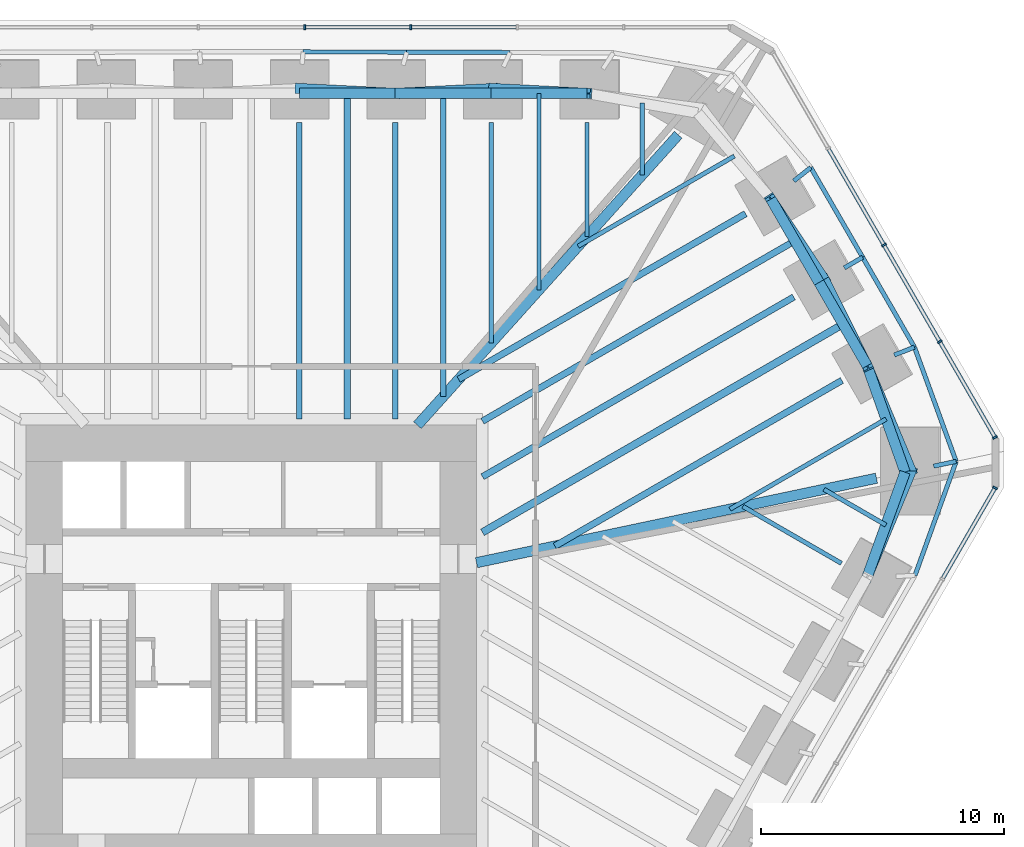
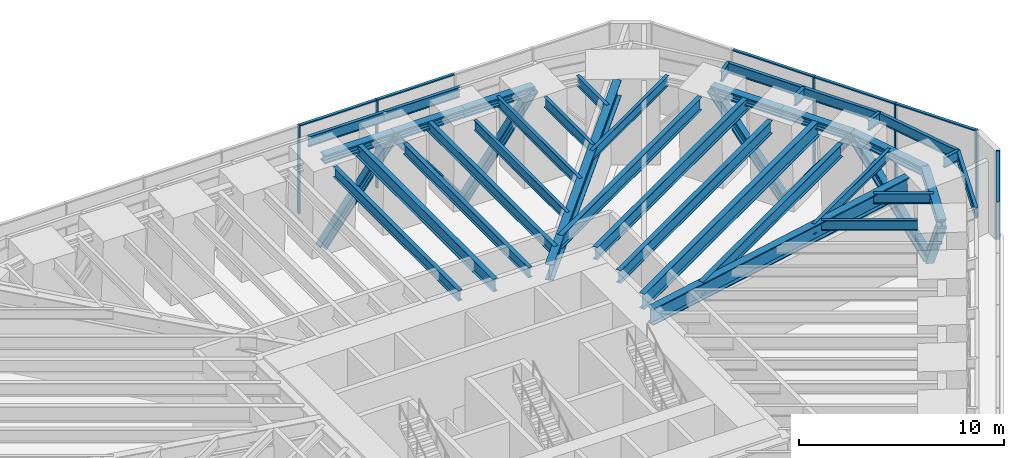
# One storey, part 8 of 13: 36 beams, 19 members, 3 elements without a shape of their own.
"""IFC4 building model written with IfcOpenShell, lengths in metres."""

from ifc_helpers import new_model, si_unit, direction, frame, origin, origin_2d, place, context, subcontext, project, spatial, rectangle, i_section, extrude, material, material_profile, profile_set, type_object, element, aggregate, save


model = new_model("IFC4")

# Units and contexts
model_context = context("Model", 3, precision=1e-05, world=origin(), true_north=direction((0.0, 1.0)))
body_context = subcontext(model_context, "Body", "Model", "MODEL_VIEW")
ifc_project = project(units=[si_unit("LENGTHUNIT", "METRE"), si_unit("AREAUNIT", "SQUARE_METRE"), si_unit("VOLUMEUNIT", "CUBIC_METRE"), si_unit("PLANEANGLEUNIT", "RADIAN"), si_unit("MASSUNIT", "GRAM", prefix="KILO")], contexts=[model_context])

# Site, building, storey
site_placement = place(None, origin())
site = spatial("IfcSite", under=ifc_project, at=site_placement, CompositionType="ELEMENT")
building_placement = place(site_placement, origin())
building = spatial("IfcBuilding", under=site, at=building_placement, Name="Sandreach Pilgrim Tower", CompositionType="ELEMENT")
storey_placement = place(building_placement, frame((0.0, 0.0, 91.39990234375)))
storey = spatial("IfcBuildingStorey", under=building, at=storey_placement, Name="L22", CompositionType="ELEMENT", Elevation=91.39990234375)

# Beams
ifc_material_1 = material(Name="Steel ASTM A913 Grade 65", Category="steel")
ifc_material_profile_1 = material_profile(ifc_material_1, i_section(OverallWidth=0.431884765625, OverallDepth=0.497802734375, WebThickness=0.0556640625, FlangeThickness=0.0888671875, at=origin_2d()), Name="W14X500")
ifc_profile_set_1 = profile_set([ifc_material_profile_1], Name="Steel ASTM A913 Grade 65")
beam_type_1 = type_object("IfcBeamType", Name="Belt truss chord W14X500", PredefinedType="BEAM", material=ifc_profile_set_1)
for number, where, z_axis, x_axis, name in (
    (1, (1.969970703125, 21.23388671875, 4.9912109375), (1.0, 0.0, 0.0), (0.0, 1.0, 0.0), "BM L22 BTT05"),
    (2, (5.909912109375, 21.23388671875, 4.9912109375), (1.0, 0.0, 0.0), (0.0, 1.0, 0.0), "BM L22 BTT06"),
    (3, (9.849853515625, 21.23388671875, 4.9912109375), (1.0, 0.0, 0.0), (0.0, 1.0, 0.0), "BM L22 BTT07"),
):
    element("IfcBeam", number, at=place(storey_placement, frame(where, z_axis=z_axis, x_axis=x_axis)), inside=storey, type_object=beam_type_1, Name=name, PredefinedType="BEAM", context=body_context, shape_type="SweptSolid", body=[
        extrude(i_section(OverallWidth=0.431884765625, OverallDepth=0.497802734375, WebThickness=0.0556640625, FlangeThickness=0.0888671875, at=origin_2d()), origin(), (0.0, 0.0, 1.0), 3.93994140625),
    ])
for number, where, z_axis, x_axis, name in (
    (4, (21.346435546875, 16.891357421875, 4.9912109375), (0.499989616998, -0.866031398331, 0.0), (0.866031398331, 0.499989616998, 0.0), "BM L22 BTT10"),
    (5, (23.323974609375, 13.466064453125, 4.9912109375), (0.499989616998, -0.866031398331, 0.0), (0.866031398331, 0.499989616998, 0.0), "BM L22 BTT11"),
):
    element("IfcBeam", number, at=place(storey_placement, frame(where, z_axis=z_axis, x_axis=x_axis)), inside=storey, type_object=beam_type_1, Name=name, PredefinedType="BEAM", context=body_context, shape_type="SweptSolid", body=[
        extrude(i_section(OverallWidth=0.431884765625, OverallDepth=0.497802734375, WebThickness=0.0556640625, FlangeThickness=0.0888671875, at=origin_2d()), origin(), (0.0, 0.0, 1.0), 3.955078125),
    ])
beam_1_placement = place(storey_placement, frame((25.301513671875, 10.040771484375, 4.9912109375), z_axis=(0.335346041399, -0.942095023083, 0.0), x_axis=(0.942095023083, 0.335346041399, 0.0)))
element("IfcBeam", 6, at=beam_1_placement, inside=storey, type_object=beam_type_1, Name="BM L22 BTT12", PredefinedType="BEAM", context=body_context, shape_type="SweptSolid", body=[
    extrude(i_section(OverallWidth=0.431884765625, OverallDepth=0.497802734375, WebThickness=0.0556640625, FlangeThickness=0.0888671875, at=origin_2d()), origin(), (0.0, 0.0, 1.0), 4.638916015625),
])
beam_2_placement = place(storey_placement, frame((26.857177734375, 5.67041015625, 4.9912109375), z_axis=(-0.340453163563, -0.940261476091, 0.0), x_axis=(0.940261476091, -0.340453163563, 0.0)))
element("IfcBeam", 7, at=beam_2_placement, inside=storey, type_object=beam_type_1, Name="BM L22 BTT13", PredefinedType="BEAM", context=body_context, shape_type="SweptSolid", body=[
    extrude(i_section(OverallWidth=0.431884765625, OverallDepth=0.497802734375, WebThickness=0.0556640625, FlangeThickness=0.0888671875, at=origin_2d()), origin(), (0.0, 0.0, 1.0), 4.62109375),
])

# Members
ifc_material_2 = material(Name="Steel ASTM A913 Grade 65", Category="steel")
ifc_material_profile_2 = material_profile(ifc_material_2, i_section(OverallWidth=0.424072265625, OverallDepth=0.47509765625, WebThickness=0.0478515625, FlangeThickness=0.0771484375, at=origin_2d()), Name="W14X426")
ifc_profile_set_2 = profile_set([ifc_material_profile_2], Name="Steel ASTM A913 Grade 65")
member_type_1 = type_object("IfcMemberType", Name="Belt truss diagonal W14X426", PredefinedType="BRACE", material=ifc_profile_set_2)
member_1_placement = place(storey_placement, frame((1.98828125, 21.43212890625, -0.408935546875), z_axis=(0.587349137519, -0.02969106018, 0.808788867135), x_axis=(0.050486490204, 0.998724744015, 0.0)))
element("IfcMember", 8, at=member_1_placement, inside=storey, type_object=member_type_1, Name="Belt truss diagonal L22 bay 05", PredefinedType="BRACE", context=body_context, shape_type="SweptSolid", body=[
    extrude(i_section(OverallWidth=0.424072265625, OverallDepth=0.47509765625, WebThickness=0.0478515625, FlangeThickness=0.0771484375, at=origin_2d()), origin(), (0.0, 0.0, 1.0), 6.6767578125),
])
member_2_placement = place(storey_placement, frame((5.909912109375, 21.23388671875, 4.9912109375), z_axis=(0.598018465109, 0.029403027167, -0.800942805313), x_axis=(-0.04910810155, 0.998793469323, 0.0)))
element("IfcMember", 9, at=member_2_placement, inside=storey, type_object=member_type_1, Name="Belt truss diagonal L22 bay 06", PredefinedType="BRACE", context=body_context, shape_type="SweptSolid", body=[
    extrude(i_section(OverallWidth=0.424072265625, OverallDepth=0.47509765625, WebThickness=0.0478515625, FlangeThickness=0.0771484375, at=origin_2d()), origin(), (0.0, 0.0, 1.0), 6.7421875),
])
member_3_placement = place(storey_placement, frame((9.94189453125, 21.43212890625, -0.408935546875), z_axis=(0.580045225899, -0.029883682725, 0.814035933739), x_axis=(0.051451336103, 0.99867550286, 0.0)))
element("IfcMember", 10, at=member_3_placement, inside=storey, type_object=member_type_1, Name="Belt truss diagonal L22 bay 07", PredefinedType="BRACE", context=body_context, shape_type="SweptSolid", body=[
    extrude(i_section(OverallWidth=0.424072265625, OverallDepth=0.47509765625, WebThickness=0.0478515625, FlangeThickness=0.0771484375, at=origin_2d()), origin(), (0.0, 0.0, 1.0), 6.6337890625),
])
for number, where, z_axis, x_axis, name in (
    (11, (21.346435546875, 16.891357421875, 4.9912109375), (0.327306981313, -0.492855790792, -0.806203020006), (0.833034674703, 0.553220779384, 0.0), "Belt truss diagonal L22 bay 10"),
    (12, (23.538818359375, 13.590087890625, -0.408935546875), (0.263158260247, -0.529888474719, 0.806204647979), (0.895631412941, 0.444797001062, 0.0), "Belt truss diagonal L22 bay 11"),
):
    element("IfcMember", number, at=place(storey_placement, frame(where, z_axis=z_axis, x_axis=x_axis)), inside=storey, type_object=member_type_1, Name=name, PredefinedType="BRACE", context=body_context, shape_type="SweptSolid", body=[
        extrude(i_section(OverallWidth=0.424072265625, OverallDepth=0.47509765625, WebThickness=0.0478515625, FlangeThickness=0.0771484375, at=origin_2d()), origin(), (0.0, 0.0, 1.0), 6.6982421875),
    ])
member_4_placement = place(storey_placement, frame((25.301513671875, 10.040771484375, 4.9912109375), z_axis=(0.253116662949, -0.604077316004, -0.755660341177), x_axis=(0.92230655788, 0.386459070656, 0.0)))
element("IfcMember", 13, at=member_4_placement, inside=storey, type_object=member_type_1, Name="Belt truss diagonal L22 bay 12", PredefinedType="BRACE", context=body_context, shape_type="SweptSolid", body=[
    extrude(i_section(OverallWidth=0.424072265625, OverallDepth=0.47509765625, WebThickness=0.0478515625, FlangeThickness=0.0771484375, at=origin_2d()), origin(), (0.0, 0.0, 1.0), 7.146240234375),
])
member_5_placement = place(storey_placement, frame((27.1103515625, 5.723876953125, -0.408935546875), z_axis=(-0.253660010285, -0.610872710239, 0.749994087355), x_axis=(0.923543367088, -0.383494001398, 0.0)))
element("IfcMember", 14, at=member_5_placement, inside=storey, type_object=member_type_1, Name="Belt truss diagonal L22 bay 13", PredefinedType="BRACE", context=body_context, shape_type="SweptSolid", body=[
    extrude(i_section(OverallWidth=0.424072265625, OverallDepth=0.47509765625, WebThickness=0.0478515625, FlangeThickness=0.0771484375, at=origin_2d()), origin(), (0.0, 0.0, 1.0), 7.2001953125),
])

# Curtain wall, members
ifc_material_3 = material(Name="Aluminium framed curtain wall", Category="aluminium")
curtain_wall_type = type_object("IfcCurtainWallType", Name="Plant storey louvred curtain wall", PredefinedType="NOTDEFINED", material=ifc_material_3)
curtain_wall_1_placement = place(storey_placement, origin())
curtain_wall_1 = element("IfcCurtainWall", 15, at=curtain_wall_1_placement, inside=storey, type_object=curtain_wall_type, Name="CW-L L22 N", PredefinedType="NOTDEFINED")
ifc_material_4 = material(Name="Aluminium extrusion", Category="aluminium")
ifc_material_profile_3 = material_profile(ifc_material_4, rectangle(XDim=0.080078125, YDim=0.199951171875, at=origin_2d()), Name="CW-LM 80X200")
ifc_profile_set_3 = profile_set([ifc_material_profile_3], Name="Aluminium extrusion")
member_type_2 = type_object("IfcMemberType", Name="CW-L mullion", PredefinedType="MULLION", material=ifc_profile_set_3)
member_6_placement = place(storey_placement, frame((2.185791015625, 23.94873046875, 0.0), z_axis=(0.0, 0.0, 1.0), x_axis=(1.0, 0.0, 0.0)))
member_6 = element("IfcMember", 16, at=member_6_placement, type_object=member_type_2, Name="CW-L mullion 6", PredefinedType="MULLION", context=body_context, shape_type="SweptSolid", body=[
    extrude(rectangle(XDim=0.080078125, YDim=0.199951171875, at=origin_2d()), origin(), (0.0, 0.0, 1.0), 5.239990234375),
])
member_7_placement = place(storey_placement, frame((6.557373046875, 23.94873046875, 0.0), z_axis=(0.0, 0.0, 1.0), x_axis=(1.0, 0.0, 0.0)))
member_7 = element("IfcMember", 17, at=member_7_placement, type_object=member_type_2, Name="CW-L mullion 7", PredefinedType="MULLION", context=body_context, shape_type="SweptSolid", body=[
    extrude(rectangle(XDim=0.080078125, YDim=0.199951171875, at=origin_2d()), origin(), (0.0, 0.0, 1.0), 5.239990234375),
])

curtain_wall_2_placement = place(storey_placement, origin())
curtain_wall_2 = element("IfcCurtainWall", 18, at=curtain_wall_2_placement, inside=storey, type_object=curtain_wall_type, Name="CW-L L22 NE", PredefinedType="NOTDEFINED")
member_8_placement = place(storey_placement, frame((25.990234375, 15.00537109375, 0.0), z_axis=(0.0, 0.0, 1.0), x_axis=(0.5, -0.866025403784, 0.0)))
member_8 = element("IfcMember", 19, at=member_8_placement, type_object=member_type_2, Name="CW-L mullion 3", PredefinedType="MULLION", context=body_context, shape_type="SweptSolid", body=[
    extrude(rectangle(XDim=0.080078125, YDim=0.199951171875, at=origin_2d()), origin(), (0.0, 0.0, 1.0), 5.239990234375),
])
member_9_placement = place(storey_placement, frame((28.283203125, 11.03369140625, 0.0), z_axis=(0.0, 0.0, 1.0), x_axis=(0.5, -0.866025403784, 0.0)))
member_9 = element("IfcMember", 20, at=member_9_placement, type_object=member_type_2, Name="CW-L mullion 4", PredefinedType="MULLION", context=body_context, shape_type="SweptSolid", body=[
    extrude(rectangle(XDim=0.080078125, YDim=0.199951171875, at=origin_2d()), origin(), (0.0, 0.0, 1.0), 5.239990234375),
])
member_10_placement = place(storey_placement, frame((30.55615234375, 7.096923828125, 0.0), z_axis=(0.0, 0.0, 1.0), x_axis=(0.5, -0.866025403784, 0.0)))
member_10 = element("IfcMember", 21, at=member_10_placement, type_object=member_type_2, Name="CW-L mullion 5", PredefinedType="MULLION", context=body_context, shape_type="SweptSolid", body=[
    extrude(rectangle(XDim=0.080078125, YDim=0.199951171875, at=origin_2d()), origin(), (0.0, 0.0, 1.0), 5.239990234375),
])

# Curtain wall, member
curtain_wall_3_placement = place(storey_placement, origin())
curtain_wall_3 = element("IfcCurtainWall", 22, at=curtain_wall_3_placement, inside=storey, type_object=curtain_wall_type, Name="CW-L L22 SE", PredefinedType="NOTDEFINED")
member_11_placement = place(storey_placement, frame((30.55615234375, 5.027587890625, 0.0), z_axis=(0.0, 0.0, 1.0), x_axis=(-0.5, -0.866025403784, 0.0)))
member_11 = element("IfcMember", 23, at=member_11_placement, type_object=member_type_2, Name="CW-L mullion 1", PredefinedType="MULLION", context=body_context, shape_type="SweptSolid", body=[
    extrude(rectangle(XDim=0.080078125, YDim=0.199951171875, at=origin_2d()), origin(), (0.0, 0.0, 1.0), 5.239990234375),
])

# Member
ifc_material_5 = material(Name="Aluminium extrusion", Category="aluminium")
ifc_material_profile_4 = material_profile(ifc_material_5, rectangle(XDim=0.159912109375, YDim=0.070068359375, at=origin_2d()), Name="CW-LT 160X70")
ifc_profile_set_4 = profile_set([ifc_material_profile_4], Name="Aluminium extrusion")
member_type_3 = type_object("IfcMemberType", Name="CW-L transom", PredefinedType="USERDEFINED", material=ifc_profile_set_4)
member_12_placement = place(storey_placement, frame((2.225830078125, 23.94873046875, 5.205078125), z_axis=(1.0, 0.0, 0.0), x_axis=(0.0, 1.0, 0.0)))
member_12 = element("IfcMember", 24, at=member_12_placement, type_object=member_type_3, Name="CW-L head transom 6", ObjectType="TRANSOM", PredefinedType="USERDEFINED", context=body_context, shape_type="SweptSolid", body=[
    extrude(rectangle(XDim=0.159912109375, YDim=0.070068359375, at=origin_2d()), origin(), (0.0, 0.0, 1.0), 4.29150390625),
])

member_13_placement = place(storey_placement, frame((6.597412109375, 23.94873046875, 5.205078125), z_axis=(1.0, 0.0, 0.0), x_axis=(0.0, 1.0, 0.0)))
member_13 = element("IfcMember", 25, at=member_13_placement, type_object=member_type_3, Name="CW-L head transom 7", ObjectType="TRANSOM", PredefinedType="USERDEFINED", context=body_context, shape_type="SweptSolid", body=[
    extrude(rectangle(XDim=0.159912109375, YDim=0.070068359375, at=origin_2d()), origin(), (0.0, 0.0, 1.0), 4.29150390625),
])

aggregate(curtain_wall_1, [member_6, member_7, member_12, member_13])

member_14_placement = place(storey_placement, frame((23.71728515625, 18.9423828125, 5.205078125), z_axis=(0.499985098601, -0.86603400694, 0.0), x_axis=(0.86603400694, 0.499985098601, 0.0)))
member_14 = element("IfcMember", 26, at=member_14_placement, type_object=member_type_3, Name="CW-L head transom 2", ObjectType="TRANSOM", PredefinedType="USERDEFINED", context=body_context, shape_type="SweptSolid", body=[
    extrude(rectangle(XDim=0.159912109375, YDim=0.070068359375, at=origin_2d()), origin(), (0.0, 0.0, 1.0), 4.506103515625),
])

member_15_placement = place(storey_placement, frame((26.01025390625, 14.970703125, 5.205078125), z_axis=(0.499985098601, -0.86603400694, 0.0), x_axis=(0.86603400694, 0.499985098601, 0.0)))
member_15 = element("IfcMember", 27, at=member_15_placement, type_object=member_type_3, Name="CW-L head transom 3", ObjectType="TRANSOM", PredefinedType="USERDEFINED", context=body_context, shape_type="SweptSolid", body=[
    extrude(rectangle(XDim=0.159912109375, YDim=0.070068359375, at=origin_2d()), origin(), (0.0, 0.0, 1.0), 4.506103515625),
])

member_16_placement = place(storey_placement, frame((28.30322265625, 10.999267578125, 5.205078125), z_axis=(0.499960628208, -0.866048133906, 0.0), x_axis=(0.866048133906, 0.499960628208, 0.0)))
member_16 = element("IfcMember", 28, at=member_16_placement, type_object=member_type_3, Name="CW-L head transom 4", ObjectType="TRANSOM", PredefinedType="USERDEFINED", context=body_context, shape_type="SweptSolid", body=[
    extrude(rectangle(XDim=0.159912109375, YDim=0.070068359375, at=origin_2d()), origin(), (0.0, 0.0, 1.0), 4.466064453125),
])

aggregate(curtain_wall_2, [member_8, member_9, member_10, member_14, member_15, member_16])

member_17_placement = place(storey_placement, frame((30.5361328125, 4.992919921875, 5.205078125), z_axis=(-0.499999164051, -0.866025886419, 0.0), x_axis=(0.866025886419, -0.499999164051, 0.0)))
member_17 = element("IfcMember", 29, at=member_17_placement, type_object=member_type_3, Name="CW-L head transom 1", ObjectType="TRANSOM", PredefinedType="USERDEFINED", context=body_context, shape_type="SweptSolid", body=[
    extrude(rectangle(XDim=0.159912109375, YDim=0.070068359375, at=origin_2d()), origin(), (0.0, 0.0, 1.0), 4.25146484375),
])

aggregate(curtain_wall_3, [member_11, member_17])

# Beams
ifc_material_6 = material(Name="Steel ASTM A992 Grade 50", Category="steel")
ifc_material_profile_5 = material_profile(ifc_material_6, i_section(OverallWidth=0.421630859375, OverallDepth=0.95751953125, WebThickness=0.02587890625, FlangeThickness=0.046875, at=origin_2d()), Name="W36X330")
ifc_profile_set_5 = profile_set([ifc_material_profile_5], Name="Steel ASTM A992 Grade 50")
beam_type_2 = type_object("IfcBeamType", Name="Corner girder W36X330", PredefinedType="BEAM", material=ifc_profile_set_5)
beam_3_placement = place(storey_placement, frame((17.53759765625, 19.531005859375, 4.76123046875), z_axis=(-0.668122277272, -0.74405149191, 0.0), x_axis=(0.74405149191, -0.668122277272, 0.0)))
element("IfcBeam", 30, at=beam_3_placement, inside=storey, type_object=beam_type_2, Name="BM L22 CG09", PredefinedType="BEAM", context=body_context, shape_type="SweptSolid", body=[
    extrude(i_section(OverallWidth=0.421630859375, OverallDepth=0.95751953125, WebThickness=0.02587890625, FlangeThickness=0.046875, at=origin_2d()), origin(), (0.0, 0.0, 1.0), 16.03515625),
])
ifc_material_7 = material(Name="Steel ASTM A992 Grade 50", Category="steel")
ifc_material_profile_6 = material_profile(ifc_material_7, i_section(OverallWidth=0.424072265625, OverallDepth=0.965087890625, WebThickness=0.028564453125, FlangeThickness=0.051025390625, at=origin_2d()), Name="W36X361")
ifc_profile_set_6 = profile_set([ifc_material_profile_6], Name="Steel ASTM A992 Grade 50")
beam_type_3 = type_object("IfcBeamType", Name="Corner girder W36X361", PredefinedType="BEAM", material=ifc_profile_set_6)
beam_4_placement = place(storey_placement, frame((25.68310546875, 5.422607421875, 4.757568359375), z_axis=(-0.978428081719, -0.206587726896, 0.0), x_axis=(0.206587726896, -0.978428081719, 0.0)))
element("IfcBeam", 31, at=beam_4_placement, inside=storey, type_object=beam_type_3, Name="BM L22 CG13", PredefinedType="BEAM", context=body_context, shape_type="SweptSolid", body=[
    extrude(i_section(OverallWidth=0.424072265625, OverallDepth=0.965087890625, WebThickness=0.028564453125, FlangeThickness=0.051025390625, at=origin_2d()), origin(), (0.0, 0.0, 1.0), 16.79541015625),
])
ifc_material_8 = material(Name="Steel ASTM A992 Grade 50", Category="steel")
ifc_material_profile_7 = material_profile(ifc_material_8, i_section(OverallWidth=0.1787109375, OverallDepth=0.60205078125, WebThickness=0.010986328125, FlangeThickness=0.014892578125, at=origin_2d()), Name="W24X62")
ifc_profile_set_7 = profile_set([ifc_material_profile_7], Name="Steel ASTM A992 Grade 50")
beam_type_4 = type_object("IfcBeamType", Name="Floor beam W24X62", PredefinedType="BEAM", material=ifc_profile_set_7)
beam_5_placement = place(storey_placement, frame((9.849853515625, 20.03369140625, 4.939208984375), z_axis=(0.0, -1.0, 0.0), x_axis=(1.0, 0.0, 0.0)))
element("IfcBeam", 32, at=beam_5_placement, inside=storey, type_object=beam_type_4, Name="BM L22 F07", PredefinedType="BEAM", context=body_context, shape_type="SweptSolid", body=[
    extrude(i_section(OverallWidth=0.1787109375, OverallDepth=0.60205078125, WebThickness=0.010986328125, FlangeThickness=0.014892578125, at=origin_2d()), origin(), (0.0, 0.0, 1.0), 9.064208984375),
])
for number, where, z_axis, x_axis, name in (
    (33, (13.789794921875, 20.03369140625, 4.939208984375), (0.0, -1.0, 0.0), (1.0, 0.0, 0.0), "BM L22 F08"),
    (34, (24.24462890625, 1.925537109375, 4.939208984375), (-0.866040404911, 0.499974016386, 0.0), (-0.499974016386, -0.866040404911, 0.0), "BM L22 F14"),
):
    element("IfcBeam", number, at=place(storey_placement, frame(where, z_axis=z_axis, x_axis=x_axis)), inside=storey, type_object=beam_type_4, Name=name, PredefinedType="BEAM", context=body_context, shape_type="SweptSolid", body=[
        extrude(i_section(OverallWidth=0.1787109375, OverallDepth=0.60205078125, WebThickness=0.010986328125, FlangeThickness=0.014892578125, at=origin_2d()), origin(), (0.0, 0.0, 1.0), 4.676513671875),
    ])
beam_6_placement = place(storey_placement, frame((11.81982421875, 21.23388671875, 4.939208984375), z_axis=(0.0, -1.0, 0.0), x_axis=(1.0, 0.0, 0.0)))
element("IfcBeam", 35, at=beam_6_placement, inside=storey, type_object=beam_type_4, Name="BM L22 FM07", PredefinedType="BEAM", context=body_context, shape_type="SweptSolid", body=[
    extrude(i_section(OverallWidth=0.1787109375, OverallDepth=0.60205078125, WebThickness=0.010986328125, FlangeThickness=0.014892578125, at=origin_2d()), origin(), (0.0, 0.0, 1.0), 8.070556640625),
])
beam_7_placement = place(storey_placement, frame((16.064697265625, 20.828857421875, 4.939208984375), z_axis=(0.0, -1.0, 0.0), x_axis=(1.0, 0.0, 0.0)))
element("IfcBeam", 36, at=beam_7_placement, inside=storey, type_object=beam_type_4, Name="BM L22 FM08", PredefinedType="BEAM", context=body_context, shape_type="SweptSolid", body=[
    extrude(i_section(OverallWidth=0.1787109375, OverallDepth=0.60205078125, WebThickness=0.010986328125, FlangeThickness=0.014892578125, at=origin_2d()), origin(), (0.0, 0.0, 1.0), 2.938232421875),
])
for number, where, z_axis, x_axis, name in (
    (37, (19.8427734375, 18.65771484375, 4.939208984375), (-0.866025875064, -0.499999183719, 0.0), (0.499999183719, -0.866025875064, 0.0), "BM L22 FM09"),
    (38, (26.079345703125, 7.855712890625, 4.939208984375), (-0.866025875064, -0.499999183719, 0.0), (0.499999183719, -0.866025875064, 0.0), "BM L22 FM12"),
):
    element("IfcBeam", number, at=place(storey_placement, frame(where, z_axis=z_axis, x_axis=x_axis)), inside=storey, type_object=beam_type_4, Name=name, PredefinedType="BEAM", context=body_context, shape_type="SweptSolid", body=[
        extrude(i_section(OverallWidth=0.1787109375, OverallDepth=0.60205078125, WebThickness=0.010986328125, FlangeThickness=0.014892578125, at=origin_2d()), origin(), (0.0, 0.0, 1.0), 7.40771484375),
    ])
beam_8_placement = place(storey_placement, frame((26.070556640625, 3.498046875, 4.939208984375), z_axis=(-0.866051374412, 0.499955014855, 0.0), x_axis=(-0.499955014855, -0.866051374412, 0.0)))
element("IfcBeam", 39, at=beam_8_placement, inside=storey, type_object=beam_type_4, Name="BM L22 FM13", PredefinedType="BEAM", context=body_context, shape_type="SweptSolid", body=[
    extrude(i_section(OverallWidth=0.1787109375, OverallDepth=0.60205078125, WebThickness=0.010986328125, FlangeThickness=0.014892578125, at=origin_2d()), origin(), (0.0, 0.0, 1.0), 2.938232421875),
])
ifc_material_9 = material(Name="Steel ASTM A992 Grade 50", Category="steel")
ifc_material_profile_8 = material_profile(ifc_material_9, i_section(OverallWidth=0.23046875, OverallDepth=0.6171875, WebThickness=0.01318359375, FlangeThickness=0.022216796875, at=origin_2d()), Name="W24X94")
ifc_profile_set_8 = profile_set([ifc_material_profile_8], Name="Steel ASTM A992 Grade 50")
beam_type_5 = type_object("IfcBeamType", Name="Floor beam W24X94", PredefinedType="BEAM", material=ifc_profile_set_8)
for number, where, z_axis, x_axis, name in (
    (40, (1.969970703125, 20.03369140625, 4.931396484375), (0.0, -1.0, 0.0), (1.0, 0.0, 0.0), "BM L22 F05"),
    (41, (5.909912109375, 20.03369140625, 4.931396484375), (0.0, -1.0, 0.0), (1.0, 0.0, 0.0), "BM L22 F06"),
):
    element("IfcBeam", number, at=place(storey_placement, frame(where, z_axis=z_axis, x_axis=x_axis)), inside=storey, type_object=beam_type_5, Name=name, PredefinedType="BEAM", context=body_context, shape_type="SweptSolid", body=[
        extrude(i_section(OverallWidth=0.23046875, OverallDepth=0.6171875, WebThickness=0.01318359375, FlangeThickness=0.022216796875, at=origin_2d()), origin(), (0.0, 0.0, 1.0), 12.1875),
    ])
beam_9_placement = place(storey_placement, frame((7.8798828125, 21.23388671875, 4.931396484375), z_axis=(0.0, -1.0, 0.0), x_axis=(1.0, 0.0, 0.0)))
element("IfcBeam", 42, at=beam_9_placement, inside=storey, type_object=beam_type_5, Name="BM L22 FM06", PredefinedType="BEAM", context=body_context, shape_type="SweptSolid", body=[
    extrude(i_section(OverallWidth=0.23046875, OverallDepth=0.6171875, WebThickness=0.01318359375, FlangeThickness=0.022216796875, at=origin_2d()), origin(), (0.0, 0.0, 1.0), 12.458251953125),
])
ifc_material_10 = material(Name="Steel ASTM A992 Grade 50", Category="steel")
ifc_material_profile_9 = material_profile(ifc_material_10, i_section(OverallWidth=0.2666015625, OverallDepth=0.761962890625, WebThickness=0.014404296875, FlangeThickness=0.021484375, at=origin_2d()), Name="W30X116")
ifc_profile_set_9 = profile_set([ifc_material_profile_9], Name="Steel ASTM A992 Grade 50")
beam_type_6 = type_object("IfcBeamType", Name="Floor beam W30X116", PredefinedType="BEAM", material=ifc_profile_set_9)
beam_10_placement = place(storey_placement, frame((20.30712890625, 16.29150390625, 4.859130859375), z_axis=(-0.866019859564, -0.500009602748, 0.0), x_axis=(0.500009602748, -0.866019859564, 0.0)))
element("IfcBeam", 43, at=beam_10_placement, inside=storey, type_object=beam_type_6, Name="BM L22 F10", PredefinedType="BEAM", context=body_context, shape_type="SweptSolid", body=[
    extrude(i_section(OverallWidth=0.2666015625, OverallDepth=0.761962890625, WebThickness=0.014404296875, FlangeThickness=0.021484375, at=origin_2d()), origin(), (0.0, 0.0, 1.0), 13.615478515625),
])
beam_11_placement = place(storey_placement, frame((22.28466796875, 12.8662109375, 4.859130859375), z_axis=(-0.866019565176, -0.500010112629, 0.0), x_axis=(0.500010112629, -0.866019565176, 0.0)))
element("IfcBeam", 44, at=beam_11_placement, inside=storey, type_object=beam_type_6, Name="BM L22 F11", PredefinedType="BEAM", context=body_context, shape_type="SweptSolid", body=[
    extrude(i_section(OverallWidth=0.2666015625, OverallDepth=0.761962890625, WebThickness=0.014404296875, FlangeThickness=0.021484375, at=origin_2d()), origin(), (0.0, 0.0, 1.0), 14.766845703125),
])
beam_12_placement = place(storey_placement, frame((24.262451171875, 9.440673828125, 4.859130859375), z_axis=(-0.866032106686, -0.499988390054, 0.0), x_axis=(0.499988390054, -0.866032106686, 0.0)))
element("IfcBeam", 45, at=beam_12_placement, inside=storey, type_object=beam_type_6, Name="BM L22 F12", PredefinedType="BEAM", context=body_context, shape_type="SweptSolid", body=[
    extrude(i_section(OverallWidth=0.2666015625, OverallDepth=0.761962890625, WebThickness=0.014404296875, FlangeThickness=0.021484375, at=origin_2d()), origin(), (0.0, 0.0, 1.0), 13.615478515625),
])
beam_13_placement = place(storey_placement, frame((3.93994140625, 21.23388671875, 4.859130859375), z_axis=(0.0, -1.0, 0.0), x_axis=(1.0, 0.0, 0.0)))
element("IfcBeam", 46, at=beam_13_placement, inside=storey, type_object=beam_type_6, Name="BM L22 FM05", PredefinedType="BEAM", context=body_context, shape_type="SweptSolid", body=[
    extrude(i_section(OverallWidth=0.2666015625, OverallDepth=0.761962890625, WebThickness=0.014404296875, FlangeThickness=0.021484375, at=origin_2d()), origin(), (0.0, 0.0, 1.0), 13.3876953125),
])
beam_14_placement = place(storey_placement, frame((22.335205078125, 15.1787109375, 4.859130859375), z_axis=(-0.866023235674, -0.500003755259, 0.0), x_axis=(0.500003755259, -0.866023235674, 0.0)))
element("IfcBeam", 47, at=beam_14_placement, inside=storey, type_object=beam_type_6, Name="BM L22 FM10", PredefinedType="BEAM", context=body_context, shape_type="SweptSolid", body=[
    extrude(i_section(OverallWidth=0.2666015625, OverallDepth=0.761962890625, WebThickness=0.014404296875, FlangeThickness=0.021484375, at=origin_2d()), origin(), (0.0, 0.0, 1.0), 14.8251953125),
])
ifc_material_11 = material(Name="Steel ASTM A992 Grade 50", Category="steel")
ifc_material_profile_10 = material_profile(ifc_material_11, i_section(OverallWidth=0.3046875, OverallDepth=0.914306640625, WebThickness=0.0166015625, FlangeThickness=0.02587890625, at=origin_2d()), Name="W36X160")
ifc_profile_set_10 = profile_set([ifc_material_profile_10], Name="Steel ASTM A992 Grade 50")
beam_type_7 = type_object("IfcBeamType", Name="Floor beam W36X160", PredefinedType="BEAM", material=ifc_profile_set_10)
beam_15_placement = place(storey_placement, frame((24.312744140625, 11.75341796875, 4.782958984375), z_axis=(-0.866020665211, -0.500008207361, 0.0), x_axis=(0.500008207361, -0.866020665211, 0.0)))
element("IfcBeam", 48, at=beam_15_placement, inside=storey, type_object=beam_type_7, Name="BM L22 FM11", PredefinedType="BEAM", context=body_context, shape_type="SweptSolid", body=[
    extrude(i_section(OverallWidth=0.3046875, OverallDepth=0.914306640625, WebThickness=0.0166015625, FlangeThickness=0.02587890625, at=origin_2d()), origin(), (0.0, 0.0, 1.0), 17.108642578125),
])
ifc_material_12 = material(Name="Steel ASTM A992 Grade 50", Category="steel")
ifc_material_profile_11 = material_profile(ifc_material_12, i_section(OverallWidth=0.1787109375, OverallDepth=0.60205078125, WebThickness=0.010986328125, FlangeThickness=0.014892578125, at=origin_2d()), Name="W24X62")
ifc_profile_set_11 = profile_set([ifc_material_profile_11], Name="Steel ASTM A992 Grade 50")
beam_type_8 = type_object("IfcBeamType", Name="Setback roof edge beam W24X62", PredefinedType="BEAM", material=ifc_profile_set_11)
beam_16_placement = place(storey_placement, frame((2.128173828125, 22.937744140625, 4.899169921875), z_axis=(0.99999809594, -0.001951439779, 0.0), x_axis=(0.001951439779, 0.99999809594, 0.0)))
element("IfcBeam", 49, at=beam_16_placement, inside=storey, type_object=beam_type_8, Name="BM L22 RE05", PredefinedType="BEAM", context=body_context, shape_type="SweptSolid", body=[
    extrude(i_section(OverallWidth=0.1787109375, OverallDepth=0.60205078125, WebThickness=0.010986328125, FlangeThickness=0.014892578125, at=origin_2d()), origin(), (0.0, 0.0, 1.0), 4.253662109375),
])
beam_17_placement = place(storey_placement, frame((6.3818359375, 22.929443359375, 4.899169921875), z_axis=(0.999994634407, -0.003275844492, 0.0), x_axis=(0.003275844492, 0.999994634407, 0.0)))
element("IfcBeam", 50, at=beam_17_placement, inside=storey, type_object=beam_type_8, Name="BM L22 RE06", PredefinedType="BEAM", context=body_context, shape_type="SweptSolid", body=[
    extrude(i_section(OverallWidth=0.1787109375, OverallDepth=0.60205078125, WebThickness=0.010986328125, FlangeThickness=0.014892578125, at=origin_2d()), origin(), (0.0, 0.0, 1.0), 4.248046875),
])
for number, where, z_axis, x_axis, name in (
    (51, (22.98388671875, 18.187255859375, 4.899169921875), (0.500534503143, -0.865716588245, 0.0), (0.865716588245, 0.500534503143, 0.0), "BM L22 RE10"),
    (52, (25.115478515625, 14.50048828125, 4.899169921875), (0.499444503025, -0.866345882658, 0.0), (0.866345882658, 0.499444503025, 0.0), "BM L22 RE11"),
):
    element("IfcBeam", number, at=place(storey_placement, frame(where, z_axis=z_axis, x_axis=x_axis)), inside=storey, type_object=beam_type_8, Name=name, PredefinedType="BEAM", context=body_context, shape_type="SweptSolid", body=[
        extrude(i_section(OverallWidth=0.1787109375, OverallDepth=0.60205078125, WebThickness=0.010986328125, FlangeThickness=0.014892578125, at=origin_2d()), origin(), (0.0, 0.0, 1.0), 4.258544921875),
    ])
beam_18_placement = place(storey_placement, frame((27.242431640625, 10.81103515625, 4.899169921875), z_axis=(0.342934503261, -0.93935931702, 0.0), x_axis=(0.93935931702, 0.342934503261, 0.0)))
element("IfcBeam", 53, at=beam_18_placement, inside=storey, type_object=beam_type_8, Name="BM L22 RE12", PredefinedType="BEAM", context=body_context, shape_type="SweptSolid", body=[
    extrude(i_section(OverallWidth=0.1787109375, OverallDepth=0.60205078125, WebThickness=0.010986328125, FlangeThickness=0.014892578125, at=origin_2d()), origin(), (0.0, 0.0, 1.0), 5.00048828125),
])
beam_19_placement = place(storey_placement, frame((28.957275390625, 6.11376953125, 4.899169921875), z_axis=(-0.339573389693, -0.940579562298, 0.0), x_axis=(0.940579562298, -0.339573389693, 0.0)))
element("IfcBeam", 54, at=beam_19_placement, inside=storey, type_object=beam_type_8, Name="BM L22 RE13", PredefinedType="BEAM", context=body_context, shape_type="SweptSolid", body=[
    extrude(i_section(OverallWidth=0.1787109375, OverallDepth=0.60205078125, WebThickness=0.010986328125, FlangeThickness=0.014892578125, at=origin_2d()), origin(), (0.0, 0.0, 1.0), 4.980224609375),
])
ifc_material_13 = material(Name="Steel ASTM A992 Grade 50", Category="steel")
ifc_material_profile_12 = material_profile(ifc_material_13, i_section(OverallWidth=0.1787109375, OverallDepth=0.60205078125, WebThickness=0.010986328125, FlangeThickness=0.014892578125, at=origin_2d()), Name="W24X62")
ifc_profile_set_12 = profile_set([ifc_material_profile_12], Name="Steel ASTM A992 Grade 50")
beam_type_9 = type_object("IfcBeamType", Name="Setback roof outlooker W24X62", PredefinedType="BEAM", material=ifc_profile_set_12)
beam_20_placement = place(storey_placement, frame((22.287353515625, 17.635986328125, 4.899169921875), z_axis=(0.784129414457, 0.620597342392, 0.0), x_axis=(-0.620597342392, 0.784129414457, 0.0)))
element("IfcBeam", 55, at=beam_20_placement, inside=storey, type_object=beam_type_9, Name="BM L22 OL10", PredefinedType="BEAM", context=body_context, shape_type="SweptSolid", body=[
    extrude(i_section(OverallWidth=0.1787109375, OverallDepth=0.60205078125, WebThickness=0.010986328125, FlangeThickness=0.014892578125, at=origin_2d()), origin(), (0.0, 0.0, 1.0), 0.88818359375),
])
beam_21_placement = place(storey_placement, frame((24.36328125, 14.066162109375, 4.899169921875), z_axis=(0.866003030001, 0.500038750527, 0.0), x_axis=(-0.500038750527, 0.866003030001, 0.0)))
element("IfcBeam", 56, at=beam_21_placement, inside=storey, type_object=beam_type_9, Name="BM L22 OL11", PredefinedType="BEAM", context=body_context, shape_type="SweptSolid", body=[
    extrude(i_section(OverallWidth=0.1787109375, OverallDepth=0.60205078125, WebThickness=0.010986328125, FlangeThickness=0.014892578125, at=origin_2d()), origin(), (0.0, 0.0, 1.0), 0.86865234375),
])
beam_22_placement = place(storey_placement, frame((26.4169921875, 10.4833984375, 4.899169921875), z_axis=(0.929459291608, 0.368924687766, 0.0), x_axis=(-0.368924687766, 0.929459291608, 0.0)))
element("IfcBeam", 57, at=beam_22_placement, inside=storey, type_object=beam_type_9, Name="BM L22 OL12", PredefinedType="BEAM", context=body_context, shape_type="SweptSolid", body=[
    extrude(i_section(OverallWidth=0.1787109375, OverallDepth=0.60205078125, WebThickness=0.010986328125, FlangeThickness=0.014892578125, at=origin_2d()), origin(), (0.0, 0.0, 1.0), 0.88818359375),
])
beam_23_placement = place(storey_placement, frame((28.031494140625, 5.91845703125, 4.899169921875), z_axis=(0.978462088397, 0.206426600928, 0.0), x_axis=(-0.206426600928, 0.978462088397, 0.0)))
element("IfcBeam", 58, at=beam_23_placement, inside=storey, type_object=beam_type_9, Name="BM L22 OL13", PredefinedType="BEAM", context=body_context, shape_type="SweptSolid", body=[
    extrude(i_section(OverallWidth=0.1787109375, OverallDepth=0.60205078125, WebThickness=0.010986328125, FlangeThickness=0.014892578125, at=origin_2d()), origin(), (0.0, 0.0, 1.0), 0.946044921875),
])

save(model, "model.ifc")
